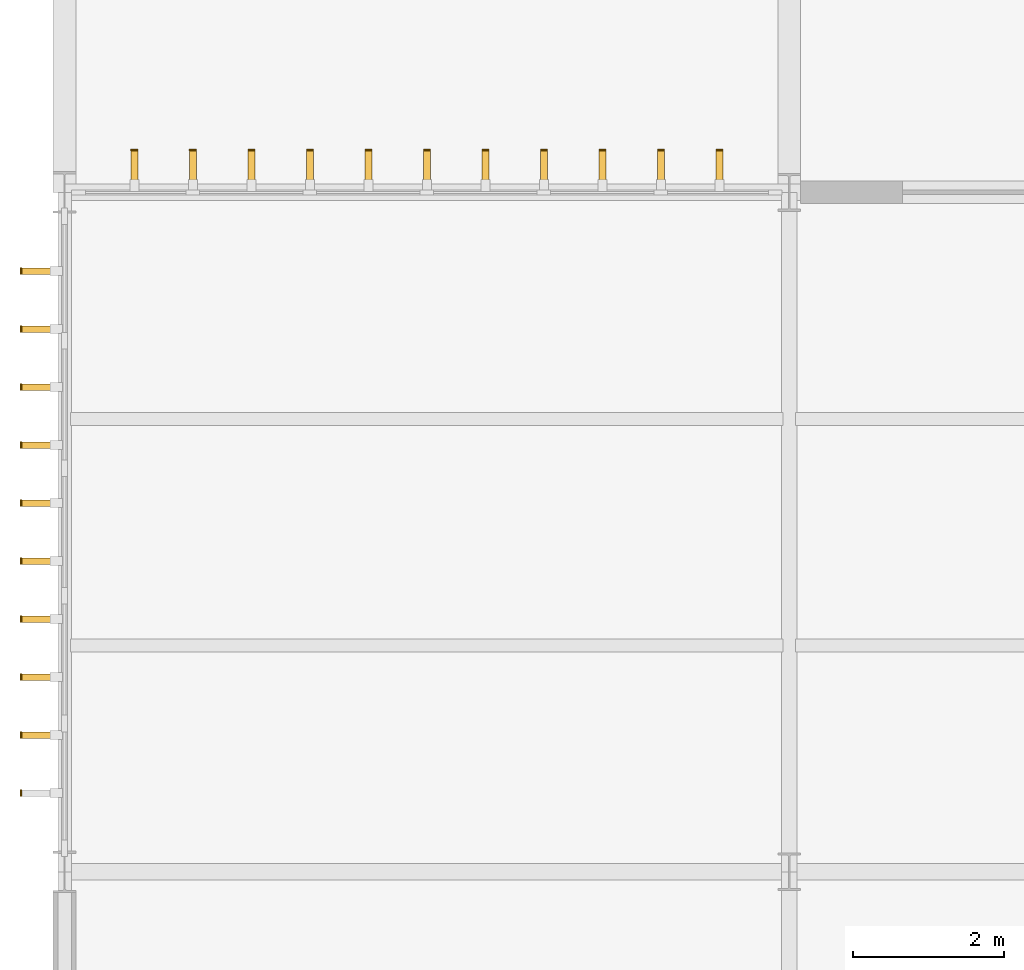
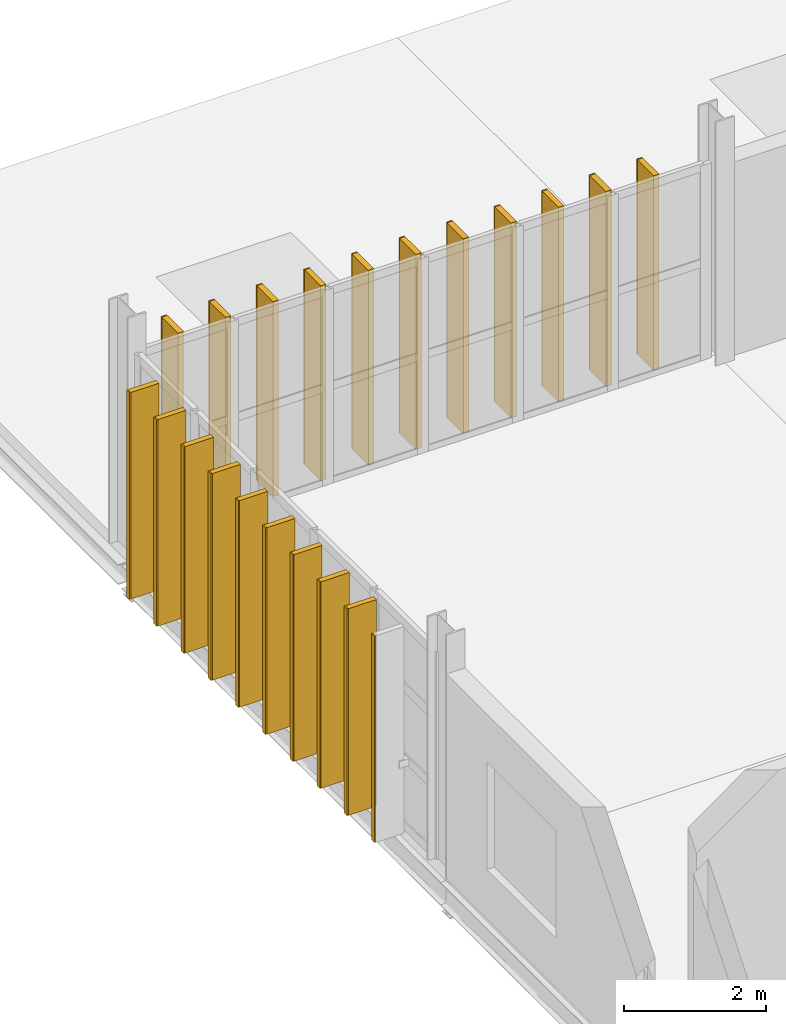
# One storey, part 51 of 52: 21 coverings, 20 shading devices.
"""IFC4 building model written with IfcOpenShell, lengths in metres."""

from ifc_helpers import new_model, si_unit, direction, frame, origin, origin_2d, place, context, subcontext, project, spatial, rectangle, extrude, material, layer, layer_set, type_object, element, save


model = new_model("IFC4")

# Units and contexts
model_context = context("Model", 3, precision=1e-05, world=origin(), true_north=direction((0.0, 1.0)))
body_context = subcontext(model_context, "Body", "Model", "MODEL_VIEW")
ifc_project = project(units=[si_unit("LENGTHUNIT", "METRE"), si_unit("AREAUNIT", "SQUARE_METRE"), si_unit("VOLUMEUNIT", "CUBIC_METRE"), si_unit("PLANEANGLEUNIT", "RADIAN"), si_unit("MASSUNIT", "GRAM", prefix="KILO")], contexts=[model_context])

# Site, building, storey
site_placement = place(None, origin())
site = spatial("IfcSite", under=ifc_project, at=site_placement, CompositionType="ELEMENT")
building_placement = place(site_placement, origin())
building = spatial("IfcBuilding", under=site, at=building_placement, Name="Zarnetskaya Central Station", CompositionType="ELEMENT")
storey_placement = place(building_placement, frame((0.0, 0.0, 14.39990234375)))
storey = spatial("IfcBuildingStorey", under=building, at=storey_placement, Name="L03", CompositionType="ELEMENT", Elevation=14.39990234375)

# Coverings
ifc_material_1 = material(Name="Treated larch timber", Category="wood")
ifc_layer = layer(ifc_material_1, 0.02001953125, Name="Treated larch timber", Category="wood")
ifc_layer_set = layer_set([ifc_layer], Name="Treated larch timber")
covering_type = type_object("IfcCoveringType", Name="COV-LARCH-CAP", PredefinedType="CLADDING", material=ifc_layer_set)
for number, where, z_axis, x_axis, name in (
    (1, (-0.580078125, 50.2431640625, 0.0), (0.0, 0.0, 1.0), (0.0, 1.0, 0.0), "Larch fin weather cap CW-L03-034-01"),
    (2, (-0.580078125, 51.011474609375, 0.0), (0.0, 0.0, 1.0), (0.0, 1.0, 0.0), "Larch fin weather cap CW-L03-034-02"),
    (3, (-0.580078125, 51.779541015625, 0.0), (0.0, 0.0, 1.0), (0.0, 1.0, 0.0), "Larch fin weather cap CW-L03-034-03"),
    (4, (-0.580078125, 52.547607421875, 0.0), (0.0, 0.0, 1.0), (0.0, 1.0, 0.0), "Larch fin weather cap CW-L03-034-04"),
    (5, (-0.580078125, 53.31591796875, 0.0), (0.0, 0.0, 1.0), (0.0, 1.0, 0.0), "Larch fin weather cap CW-L03-034-05"),
    (6, (-0.580078125, 54.083984375, 0.0), (0.0, 0.0, 1.0), (0.0, 1.0, 0.0), "Larch fin weather cap CW-L03-034-06"),
    (7, (-0.580078125, 54.852294921875, 0.0), (0.0, 0.0, 1.0), (0.0, 1.0, 0.0), "Larch fin weather cap CW-L03-034-07"),
    (8, (-0.580078125, 55.620361328125, 0.0), (0.0, 0.0, 1.0), (0.0, 1.0, 0.0), "Larch fin weather cap CW-L03-034-08"),
    (9, (-0.580078125, 56.388671875, 0.0), (0.0, 0.0, 1.0), (0.0, 1.0, 0.0), "Larch fin weather cap CW-L03-034-09"),
    (10, (-0.580078125, 57.15673828125, 0.0), (0.0, 0.0, 1.0), (0.0, 1.0, 0.0), "Larch fin weather cap CW-L03-034-10"),
):
    element("IfcCovering", number, at=place(storey_placement, frame(where, z_axis=z_axis, x_axis=x_axis)), inside=storey, type_object=covering_type, Name=name, PredefinedType="CLADDING", context=body_context, shape_type="SweptSolid", body=[
        extrude(rectangle(XDim=0.0849609375, YDim=0.02001953125, at=origin_2d()), origin(), (0.0, 0.0, 1.0), 3.56005859375),
    ])
for number, where, z_axis, x_axis, name in (
    (11, (0.925048828125, 58.760009765625, 0.0), (0.0, 0.0, 1.0), (1.0, 0.0, 0.0), "Larch fin weather cap CW-L03-035-01"),
    (12, (1.699951171875, 58.760009765625, 0.0), (0.0, 0.0, 1.0), (1.0, 0.0, 0.0), "Larch fin weather cap CW-L03-035-02"),
    (13, (2.47509765625, 58.760009765625, 0.0), (0.0, 0.0, 1.0), (1.0, 0.0, 0.0), "Larch fin weather cap CW-L03-035-03"),
    (14, (3.25, 58.760009765625, 0.0), (0.0, 0.0, 1.0), (1.0, 0.0, 0.0), "Larch fin weather cap CW-L03-035-04"),
    (15, (4.02490234375, 58.760009765625, 0.0), (0.0, 0.0, 1.0), (1.0, 0.0, 0.0), "Larch fin weather cap CW-L03-035-05"),
    (16, (4.800048828125, 58.760009765625, 0.0), (0.0, 0.0, 1.0), (1.0, 0.0, 0.0), "Larch fin weather cap CW-L03-035-06"),
    (17, (5.574951171875, 58.760009765625, 0.0), (0.0, 0.0, 1.0), (1.0, 0.0, 0.0), "Larch fin weather cap CW-L03-035-07"),
    (18, (6.35009765625, 58.760009765625, 0.0), (0.0, 0.0, 1.0), (1.0, 0.0, 0.0), "Larch fin weather cap CW-L03-035-08"),
    (19, (7.125, 58.760009765625, 0.0), (0.0, 0.0, 1.0), (1.0, 0.0, 0.0), "Larch fin weather cap CW-L03-035-09"),
    (20, (7.89990234375, 58.760009765625, 0.0), (0.0, 0.0, 1.0), (1.0, 0.0, 0.0), "Larch fin weather cap CW-L03-035-10"),
    (21, (8.675048828125, 58.760009765625, 0.0), (0.0, 0.0, 1.0), (1.0, 0.0, 0.0), "Larch fin weather cap CW-L03-035-11"),
):
    element("IfcCovering", number, at=place(storey_placement, frame(where, z_axis=z_axis, x_axis=x_axis)), inside=storey, type_object=covering_type, Name=name, PredefinedType="CLADDING", context=body_context, shape_type="SweptSolid", body=[
        extrude(rectangle(XDim=0.090087890625, YDim=0.02001953125, at=origin_2d()), origin(), (0.0, 0.0, 1.0), 3.360107421875),
    ])

# Shading devices
ifc_material_2 = material(Name="Larch glulam GL28h", Category="wood")
shading_device_type_1 = type_object("IfcShadingDeviceType", Name="SHD-LARCH-FIN-A", PredefinedType="USERDEFINED", material=ifc_material_2)
for number, where, z_axis, x_axis, name in (
    (22, (0.925048828125, 58.52001953125, 0.0), (0.0, 0.0, 1.0), (1.0, 0.0, 0.0), "Vertical larch timber fin CW-L03-035-01"),
    (23, (1.699951171875, 58.52001953125, 0.0), (0.0, 0.0, 1.0), (1.0, 0.0, 0.0), "Vertical larch timber fin CW-L03-035-02"),
    (24, (2.47509765625, 58.52001953125, 0.0), (0.0, 0.0, 1.0), (1.0, 0.0, 0.0), "Vertical larch timber fin CW-L03-035-03"),
    (25, (3.25, 58.52001953125, 0.0), (0.0, 0.0, 1.0), (1.0, 0.0, 0.0), "Vertical larch timber fin CW-L03-035-04"),
    (26, (4.02490234375, 58.52001953125, 0.0), (0.0, 0.0, 1.0), (1.0, 0.0, 0.0), "Vertical larch timber fin CW-L03-035-05"),
    (27, (4.800048828125, 58.52001953125, 0.0), (0.0, 0.0, 1.0), (1.0, 0.0, 0.0), "Vertical larch timber fin CW-L03-035-06"),
    (28, (5.574951171875, 58.52001953125, 0.0), (0.0, 0.0, 1.0), (1.0, 0.0, 0.0), "Vertical larch timber fin CW-L03-035-07"),
    (29, (6.35009765625, 58.52001953125, 0.0), (0.0, 0.0, 1.0), (1.0, 0.0, 0.0), "Vertical larch timber fin CW-L03-035-08"),
    (30, (7.125, 58.52001953125, 0.0), (0.0, 0.0, 1.0), (1.0, 0.0, 0.0), "Vertical larch timber fin CW-L03-035-09"),
    (31, (7.89990234375, 58.52001953125, 0.0), (0.0, 0.0, 1.0), (1.0, 0.0, 0.0), "Vertical larch timber fin CW-L03-035-10"),
    (32, (8.675048828125, 58.52001953125, 0.0), (0.0, 0.0, 1.0), (1.0, 0.0, 0.0), "Vertical larch timber fin CW-L03-035-11"),
):
    element("IfcShadingDevice", number, at=place(storey_placement, frame(where, z_axis=z_axis, x_axis=x_axis)), inside=storey, type_object=shading_device_type_1, Name=name, ObjectType="TIMBER FIN", PredefinedType="USERDEFINED", context=body_context, shape_type="SweptSolid", body=[
        extrude(rectangle(XDim=0.090087890625, YDim=0.4599609375, at=origin_2d()), origin(), (0.0, 0.0, 1.0), 3.360107421875),
    ])
shading_device_type_2 = type_object("IfcShadingDeviceType", Name="SHD-LARCH-FIN-B", PredefinedType="USERDEFINED", material=ifc_material_2)
for number, where, z_axis, x_axis, name in (
    (33, (-0.340087890625, 51.011474609375, 0.0), (0.0, 0.0, 1.0), (0.0, 1.0, 0.0), "Vertical larch timber fin CW-L03-034-02"),
    (34, (-0.340087890625, 51.779541015625, 0.0), (0.0, 0.0, 1.0), (0.0, 1.0, 0.0), "Vertical larch timber fin CW-L03-034-03"),
    (35, (-0.340087890625, 52.547607421875, 0.0), (0.0, 0.0, 1.0), (0.0, 1.0, 0.0), "Vertical larch timber fin CW-L03-034-04"),
    (36, (-0.340087890625, 53.31591796875, 0.0), (0.0, 0.0, 1.0), (0.0, 1.0, 0.0), "Vertical larch timber fin CW-L03-034-05"),
    (37, (-0.340087890625, 54.083984375, 0.0), (0.0, 0.0, 1.0), (0.0, 1.0, 0.0), "Vertical larch timber fin CW-L03-034-06"),
    (38, (-0.340087890625, 54.852294921875, 0.0), (0.0, 0.0, 1.0), (0.0, 1.0, 0.0), "Vertical larch timber fin CW-L03-034-07"),
    (39, (-0.340087890625, 55.620361328125, 0.0), (0.0, 0.0, 1.0), (0.0, 1.0, 0.0), "Vertical larch timber fin CW-L03-034-08"),
    (40, (-0.340087890625, 56.388671875, 0.0), (0.0, 0.0, 1.0), (0.0, 1.0, 0.0), "Vertical larch timber fin CW-L03-034-09"),
    (41, (-0.340087890625, 57.15673828125, 0.0), (0.0, 0.0, 1.0), (0.0, 1.0, 0.0), "Vertical larch timber fin CW-L03-034-10"),
):
    element("IfcShadingDevice", number, at=place(storey_placement, frame(where, z_axis=z_axis, x_axis=x_axis)), inside=storey, type_object=shading_device_type_2, Name=name, ObjectType="TIMBER FIN", PredefinedType="USERDEFINED", context=body_context, shape_type="SweptSolid", body=[
        extrude(rectangle(XDim=0.0849609375, YDim=0.4599609375, at=origin_2d()), origin(), (0.0, 0.0, 1.0), 3.56005859375),
    ])

save(model, "model.ifc")
